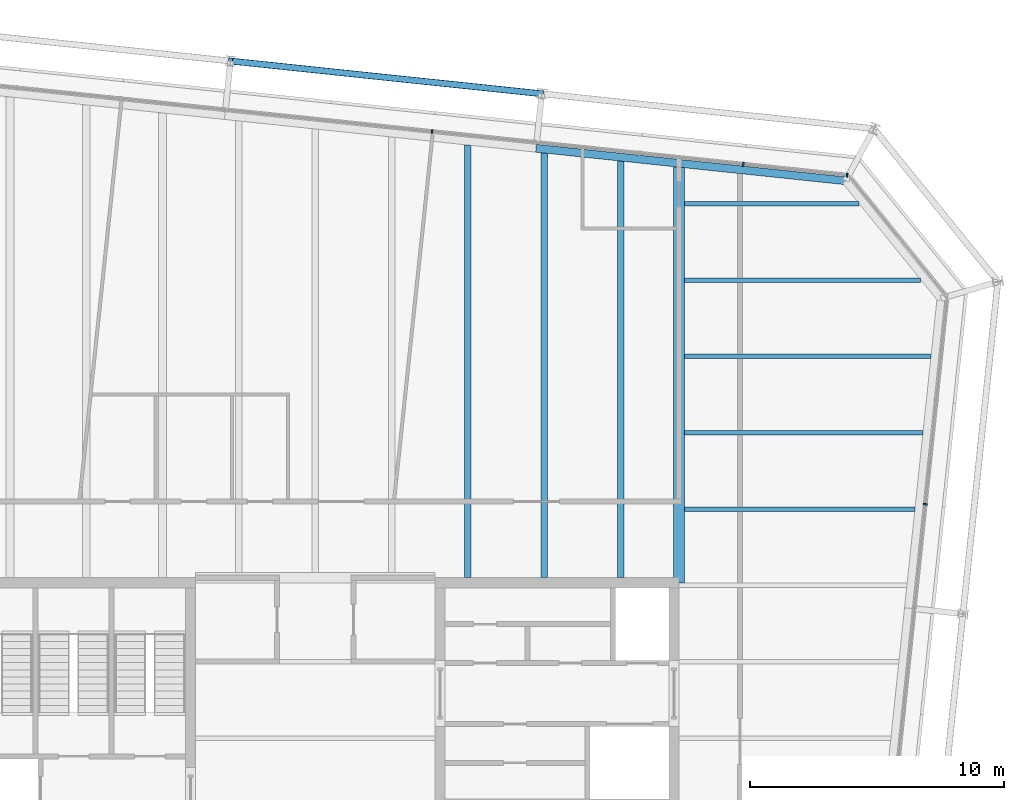
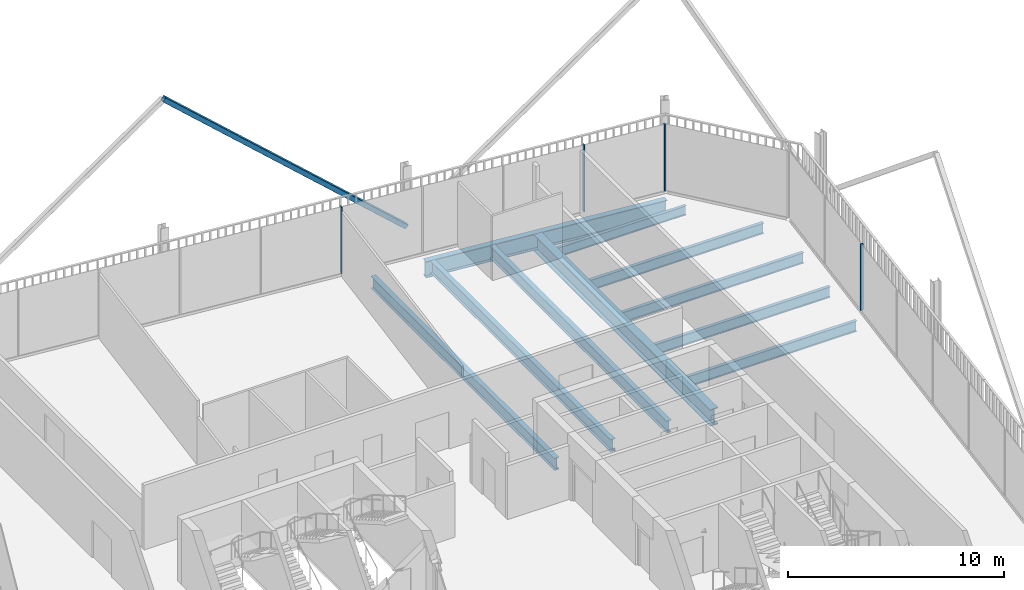
# One storey, part 14 of 21: 10 beams, 5 members, 2 elements without a shape of their own.
"""IFC4 building model written with IfcOpenShell, lengths in metres."""

from ifc_helpers import new_model, si_unit, direction, frame, origin, origin_2d, place, context, subcontext, project, spatial, rectangle, hollow_rectangle, i_section, extrude, material, layer, layer_set, material_profile, profile_set, type_object, element, aggregate, save


model = new_model("IFC4")

# Units and contexts
model_context = context("Model", 3, precision=1e-05, world=origin(), true_north=direction((0.0, 1.0)))
body_context = subcontext(model_context, "Body", "Model", "MODEL_VIEW")
ifc_project = project(units=[si_unit("LENGTHUNIT", "METRE"), si_unit("AREAUNIT", "SQUARE_METRE"), si_unit("VOLUMEUNIT", "CUBIC_METRE"), si_unit("PLANEANGLEUNIT", "RADIAN"), si_unit("MASSUNIT", "GRAM", prefix="KILO")], contexts=[model_context])

# Site, building, storey
site_placement = place(None, origin())
site = spatial("IfcSite", under=ifc_project, at=site_placement, CompositionType="ELEMENT")
building_placement = place(site_placement, origin())
building = spatial("IfcBuilding", under=site, at=building_placement, Name="Millrace Tower", CompositionType="ELEMENT")
storey_placement = place(building_placement, frame((0.0, 0.0, 307.199951171875)))
storey = spatial("IfcBuildingStorey", under=building, at=storey_placement, Name="L71", CompositionType="ELEMENT", Elevation=307.199951171875)

# Curtain wall, member
ifc_material_1 = material(Name="Aluminium and glass", Category="aluminium")
ifc_layer = layer(ifc_material_1, 0.14990234375)
ifc_layer_set = layer_set([ifc_layer], Name="Aluminium and glass")
curtain_wall_type = type_object("IfcCurtainWallType", Name="CW-1 office vision curtain wall", PredefinedType="NOTDEFINED", material=ifc_layer_set)
placement = place(storey_placement, origin())
curtain_wall_1 = element("IfcCurtainWall", 1, at=placement, inside=storey, type_object=curtain_wall_type, Name="Curtain wall E-F04 L71", PredefinedType="NOTDEFINED")
ifc_material_2 = material(Name="Aluminium", Category="aluminium")
ifc_material_profile_1 = material_profile(ifc_material_2, rectangle(XDim=0.06494140625, YDim=0.14990234375, at=origin_2d()))
ifc_profile_set_1 = profile_set([ifc_material_profile_1], Name="Aluminium")
member_type_1 = type_object("IfcMemberType", Name="CW-1 office vision curtain wall mullion", PredefinedType="MULLION", material=ifc_profile_set_1)
member_1_placement = place(storey_placement, frame((23.974853515625, 12.1904296875, 0.14013671875), z_axis=(0.0, 0.0, 1.0), x_axis=(0.104528455196, 0.994521896217, 0.0)))
member_1 = element("IfcMember", 2, at=member_1_placement, type_object=member_type_1, Name="CW1 mullion E-F04.8", PredefinedType="MULLION", context=body_context, shape_type="SweptSolid", body=[
    extrude(rectangle(XDim=0.06494140625, YDim=0.14990234375, at=origin_2d()), origin(), (0.0, 0.0, 1.0), 3.760009765625),
])
aggregate(curtain_wall_1, [member_1])

# Curtain wall, members
curtain_wall_2 = element("IfcCurtainWall", 3, at=placement, inside=storey, type_object=curtain_wall_type, Name="Curtain wall E-F06 L71", PredefinedType="NOTDEFINED")
member_2_placement = place(storey_placement, frame((20.902587890625, 25.124755859375, 0.14013671875), z_axis=(0.0, 0.0, 1.0), x_axis=(-0.994521896217, 0.104528455196, 0.0)))
member_2 = element("IfcMember", 4, at=member_2_placement, type_object=member_type_1, Name="CW1 mullion E-F06.1", PredefinedType="MULLION", context=body_context, shape_type="SweptSolid", body=[
    extrude(rectangle(XDim=0.06494140625, YDim=0.14990234375, at=origin_2d()), origin(), (0.0, 0.0, 1.0), 3.760009765625),
])
member_3_placement = place(storey_placement, frame((16.824951171875, 25.553466796875, 0.14013671875), z_axis=(0.0, 0.0, 1.0), x_axis=(-0.994521896217, 0.104528455196, 0.0)))
member_3 = element("IfcMember", 5, at=member_3_placement, type_object=member_type_1, Name="CW1 mullion E-F06.2", PredefinedType="MULLION", context=body_context, shape_type="SweptSolid", body=[
    extrude(rectangle(XDim=0.06494140625, YDim=0.14990234375, at=origin_2d()), origin(), (0.0, 0.0, 1.0), 3.760009765625),
])
member_4_placement = place(storey_placement, frame((4.59228515625, 26.839111328125, 0.14013671875), z_axis=(0.0, 0.0, 1.0), x_axis=(-0.994521896217, 0.104528455196, 0.0)))
member_4 = element("IfcMember", 6, at=member_4_placement, type_object=member_type_1, Name="CW1 mullion E-F06.5", PredefinedType="MULLION", context=body_context, shape_type="SweptSolid", body=[
    extrude(rectangle(XDim=0.06494140625, YDim=0.14990234375, at=origin_2d()), origin(), (0.0, 0.0, 1.0), 3.760009765625),
])
aggregate(curtain_wall_2, [member_2, member_3, member_4])

# Member
ifc_material_3 = material(Name="Steel ASTM A500 Grade C", Category="steel")
ifc_material_profile_2 = material_profile(ifc_material_3, hollow_rectangle(XDim=0.25390625, YDim=0.25390625, WallThickness=0.009521484375, InnerFilletRadius=0.004638671875, OuterFilletRadius=0.014404296875, at=origin_2d()))
ifc_profile_set_2 = profile_set([ifc_material_profile_2], Name="Steel ASTM A500 Grade C")
member_type_2 = type_object("IfcMemberType", Name="Exoskeleton brace HSS10x10x3/8", PredefinedType="BRACE", material=ifc_profile_set_2)
member_5_placement = place(storey_placement, frame((8.9033203125, 28.321533203125, 0.400146484375), z_axis=(-0.750343296411, 0.078860548826, 0.656327625024), x_axis=(-0.104523600289, -0.994522406476, 0.0)))
element("IfcMember", 7, at=member_5_placement, inside=storey, type_object=member_type_2, Name="BRC-E-L71-11", PredefinedType="BRACE", context=body_context, shape_type="SweptSolid", body=[
    extrude(hollow_rectangle(XDim=0.25390625, YDim=0.25390625, WallThickness=0.009521484375, InnerFilletRadius=0.004638671875, OuterFilletRadius=0.014404296875, at=origin_2d()), origin(), (0.0, 0.0, 1.0), 16.302734375),
])

# Beams
ifc_material_4 = material(Name="Steel ASTM A992 Grade 50", Category="steel")
ifc_material_profile_3 = material_profile(ifc_material_4, i_section(OverallWidth=0.1650390625, OverallDepth=0.52587890625, WebThickness=0.0087890625, FlangeThickness=0.011474609375, FilletRadius=0.0126953125, at=origin_2d()))
ifc_profile_set_3 = profile_set([ifc_material_profile_3], Name="Steel ASTM A992 Grade 50")
beam_type_1 = type_object("IfcBeamType", Name="Floor beam W21x44", PredefinedType="JOIST", material=ifc_profile_set_3)
beam_1_placement = place(storey_placement, frame((14.509521484375, 24.0, -0.4228515625), z_axis=(1.0, 0.0, 0.0), x_axis=(0.0, 1.0, 0.0)))
element("IfcBeam", 8, at=beam_1_placement, inside=storey, type_object=beam_type_1, Name="BM-E-L71-S1-S034", PredefinedType="JOIST", context=body_context, shape_type="SweptSolid", body=[
    extrude(i_section(OverallWidth=0.1650390625, OverallDepth=0.52587890625, WebThickness=0.0087890625, FlangeThickness=0.011474609375, FilletRadius=0.0126953125, at=origin_2d()), origin(), (0.0, 0.0, 1.0), 6.861572265625),
])
ifc_material_5 = material(Name="Steel ASTM A992 Grade 50", Category="steel")
ifc_material_profile_4 = material_profile(ifc_material_5, i_section(OverallWidth=0.177978515625, OverallDepth=0.599365234375, WebThickness=0.010009765625, FlangeThickness=0.012939453125, FilletRadius=0.012939453125, at=origin_2d()))
ifc_profile_set_4 = profile_set([ifc_material_profile_4], Name="Steel ASTM A992 Grade 50")
beam_type_2 = type_object("IfcBeamType", Name="Floor beam W24x55", PredefinedType="JOIST", material=ifc_profile_set_4)
beam_2_placement = place(storey_placement, frame((14.509521484375, 12.0, -0.459716796875), z_axis=(1.0, 0.0, 0.0), x_axis=(0.0, 1.0, 0.0)))
element("IfcBeam", 9, at=beam_2_placement, inside=storey, type_object=beam_type_2, Name="BM-E-L71-S1-S026", PredefinedType="JOIST", context=body_context, shape_type="SweptSolid", body=[
    extrude(i_section(OverallWidth=0.177978515625, OverallDepth=0.599365234375, WebThickness=0.010009765625, FlangeThickness=0.012939453125, FilletRadius=0.012939453125, at=origin_2d()), origin(), (0.0, 0.0, 1.0), 9.060791015625),
])
beam_3_placement = place(storey_placement, frame((14.509521484375, 15.0, -0.459716796875), z_axis=(1.0, 0.0, 0.0), x_axis=(0.0, 1.0, 0.0)))
element("IfcBeam", 10, at=beam_3_placement, inside=storey, type_object=beam_type_2, Name="BM-E-L71-S1-S028", PredefinedType="JOIST", context=body_context, shape_type="SweptSolid", body=[
    extrude(i_section(OverallWidth=0.177978515625, OverallDepth=0.599365234375, WebThickness=0.010009765625, FlangeThickness=0.012939453125, FilletRadius=0.012939453125, at=origin_2d()), origin(), (0.0, 0.0, 1.0), 9.376220703125),
])
beam_4_placement = place(storey_placement, frame((14.509521484375, 18.0, -0.459716796875), z_axis=(1.0, 0.0, 0.0), x_axis=(0.0, 1.0, 0.0)))
element("IfcBeam", 11, at=beam_4_placement, inside=storey, type_object=beam_type_2, Name="BM-E-L71-S1-S030", PredefinedType="JOIST", context=body_context, shape_type="SweptSolid", body=[
    extrude(i_section(OverallWidth=0.177978515625, OverallDepth=0.599365234375, WebThickness=0.010009765625, FlangeThickness=0.012939453125, FilletRadius=0.012939453125, at=origin_2d()), origin(), (0.0, 0.0, 1.0), 9.69140625),
])
beam_5_placement = place(storey_placement, frame((14.509521484375, 21.0, -0.459716796875), z_axis=(1.0, 0.0, 0.0), x_axis=(0.0, 1.0, 0.0)))
element("IfcBeam", 12, at=beam_5_placement, inside=storey, type_object=beam_type_2, Name="BM-E-L71-S1-S032", PredefinedType="JOIST", context=body_context, shape_type="SweptSolid", body=[
    extrude(i_section(OverallWidth=0.177978515625, OverallDepth=0.599365234375, WebThickness=0.010009765625, FlangeThickness=0.012939453125, FilletRadius=0.012939453125, at=origin_2d()), origin(), (0.0, 0.0, 1.0), 9.282958984375),
])
ifc_material_6 = material(Name="Steel ASTM A992 Grade 50", Category="steel")
ifc_material_profile_5 = material_profile(ifc_material_6, i_section(OverallWidth=0.256591796875, OverallDepth=0.693359375, WebThickness=0.014404296875, FlangeThickness=0.023681640625, FilletRadius=0.01513671875, at=origin_2d()))
ifc_profile_set_5 = profile_set([ifc_material_profile_5], Name="Steel ASTM A992 Grade 50")
beam_type_3 = type_object("IfcBeamType", Name="Floor beam W27x114", PredefinedType="JOIST", material=ifc_profile_set_5)
beam_6_placement = place(storey_placement, frame((6.0, 9.300048828125, -0.506591796875), z_axis=(0.0, 1.0, 0.0), x_axis=(-1.0, 0.0, 0.0)))
element("IfcBeam", 13, at=beam_6_placement, inside=storey, type_object=beam_type_3, Name="BM-E-L71-S1-S048", PredefinedType="JOIST", context=body_context, shape_type="SweptSolid", body=[
    extrude(i_section(OverallWidth=0.256591796875, OverallDepth=0.693359375, WebThickness=0.014404296875, FlangeThickness=0.023681640625, FilletRadius=0.01513671875, at=origin_2d()), origin(), (0.0, 0.0, 1.0), 17.006591796875),
])
beam_7_placement = place(storey_placement, frame((9.0, 9.300048828125, -0.506591796875), z_axis=(0.0, 1.0, 0.0), x_axis=(-1.0, 0.0, 0.0)))
element("IfcBeam", 14, at=beam_7_placement, inside=storey, type_object=beam_type_3, Name="BM-E-L71-S1-S050", PredefinedType="JOIST", context=body_context, shape_type="SweptSolid", body=[
    extrude(i_section(OverallWidth=0.256591796875, OverallDepth=0.693359375, WebThickness=0.014404296875, FlangeThickness=0.023681640625, FilletRadius=0.01513671875, at=origin_2d()), origin(), (0.0, 0.0, 1.0), 16.69140625),
])
beam_8_placement = place(storey_placement, frame((12.0, 9.300048828125, -0.506591796875), z_axis=(0.0, 1.0, 0.0), x_axis=(-1.0, 0.0, 0.0)))
element("IfcBeam", 15, at=beam_8_placement, inside=storey, type_object=beam_type_3, Name="BM-E-L71-S1-S052", PredefinedType="JOIST", context=body_context, shape_type="SweptSolid", body=[
    extrude(i_section(OverallWidth=0.256591796875, OverallDepth=0.693359375, WebThickness=0.014404296875, FlangeThickness=0.023681640625, FilletRadius=0.01513671875, at=origin_2d()), origin(), (0.0, 0.0, 1.0), 16.3759765625),
])
ifc_material_7 = material(Name="Steel ASTM A992 Grade 50", Category="steel")
ifc_material_profile_6 = material_profile(ifc_material_7, i_section(OverallWidth=0.424072265625, OverallDepth=0.947509765625, WebThickness=0.02392578125, FlangeThickness=0.042724609375, FilletRadius=0.024169921875, at=origin_2d()))
ifc_profile_set_6 = profile_set([ifc_material_profile_6], Name="Steel ASTM A992 Grade 50")
beam_type_4 = type_object("IfcBeamType", Name="Girder medium span W36x302", PredefinedType="BEAM", material=ifc_profile_set_6)
beam_9_placement = place(storey_placement, frame((14.300048828125, 9.092041015625, -0.633544921875), z_axis=(0.0, 1.0, 0.0), x_axis=(-1.0, 0.0, 0.0)))
element("IfcBeam", 16, at=beam_9_placement, inside=storey, type_object=beam_type_4, Name="BM-E-L71-S1-G056", PredefinedType="BEAM", context=body_context, shape_type="SweptSolid", body=[
    extrude(i_section(OverallWidth=0.424072265625, OverallDepth=0.947509765625, WebThickness=0.02392578125, FlangeThickness=0.042724609375, FilletRadius=0.024169921875, at=origin_2d()), origin(), (0.0, 0.0, 1.0), 16.34228515625),
])
ifc_material_8 = material(Name="Steel ASTM A992 Grade 50", Category="steel")
ifc_material_profile_7 = material_profile(ifc_material_8, i_section(OverallWidth=0.307373046875, OverallDepth=0.927001953125, WebThickness=0.01953125, FlangeThickness=0.031982421875, FilletRadius=0.01904296875, at=origin_2d()))
ifc_profile_set_7 = profile_set([ifc_material_profile_7], Name="Steel ASTM A992 Grade 50")
beam_type_5 = type_object("IfcBeamType", Name="Ring beam medium span W36x194", PredefinedType="SPANDREL", material=ifc_profile_set_7)
beam_10_placement = place(storey_placement, frame((8.67822265625, 26.1796875, -0.62353515625), z_axis=(0.994521948696, -0.104527955888, 0.0), x_axis=(0.104527955888, 0.994521948696, 0.0)))
element("IfcBeam", 17, at=beam_10_placement, inside=storey, type_object=beam_type_5, Name="RNG-E-L71-S1-07", PredefinedType="SPANDREL", context=body_context, shape_type="SweptSolid", body=[
    extrude(i_section(OverallWidth=0.307373046875, OverallDepth=0.927001953125, WebThickness=0.01953125, FlangeThickness=0.031982421875, FilletRadius=0.01904296875, at=origin_2d()), origin(), (0.0, 0.0, 1.0), 12.236572265625),
])

save(model, "model.ifc")
